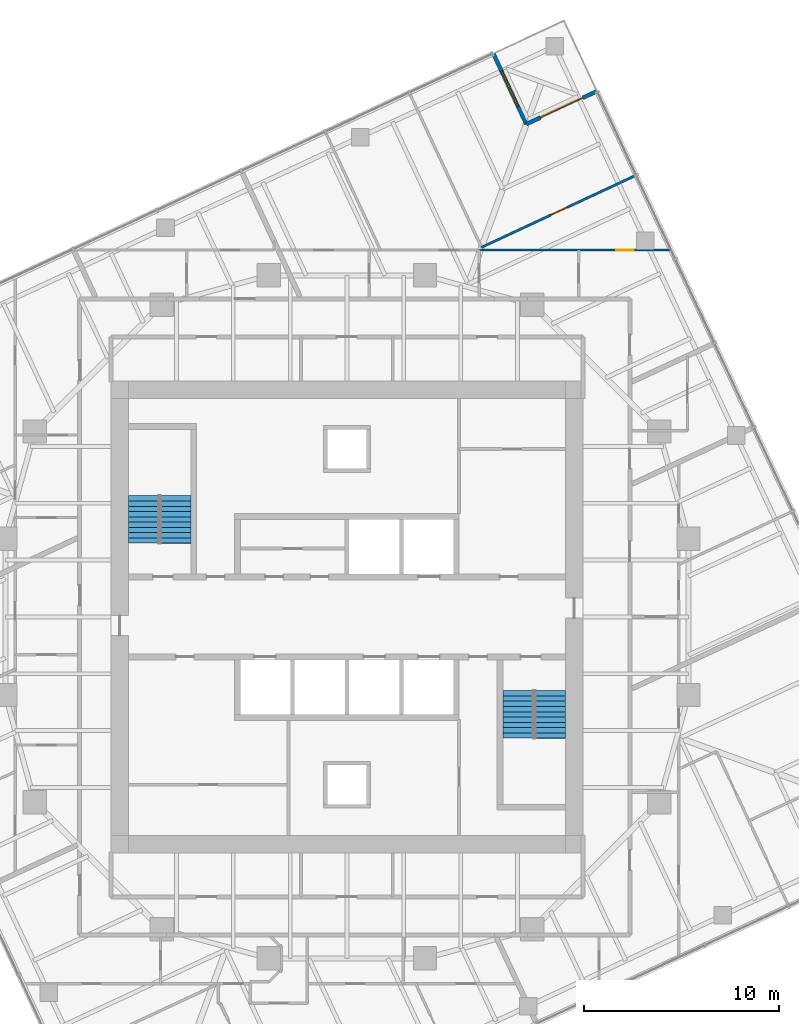
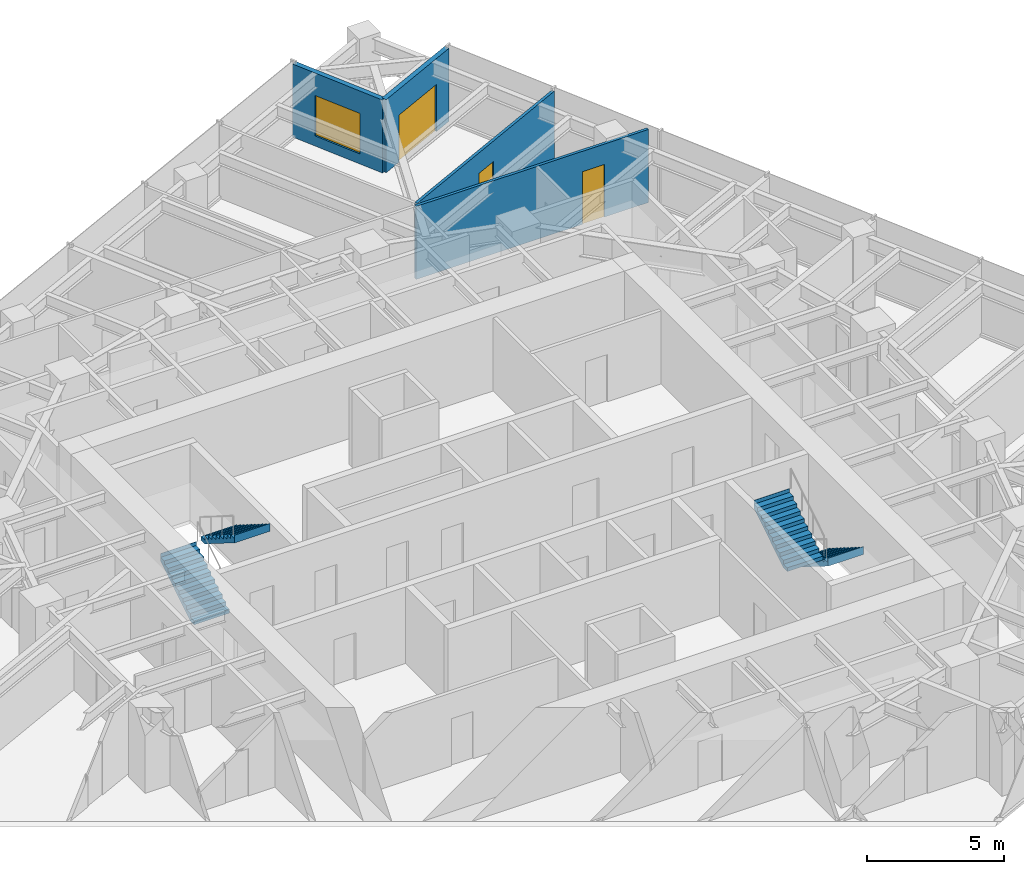
# One storey, part 12 of 13: 4 stair flights, 4 walls, 3 doors, 1 window, 4 openings, 2 elements without a shape of their own.
"""IFC4 building model written with IfcOpenShell, lengths in metres."""

from ifc_helpers import new_model, si_unit, direction, frame, frame_2d, origin, place, context, subcontext, project, spatial, polyline, rectangle, outline, extrude, material, layer, layer_set, type_object, element, fill, aggregate, save


model = new_model("IFC4")

# Units and contexts
model_context = context("Model", 3, precision=1e-05, world=origin(), true_north=direction((0.0, 1.0)))
body_context = subcontext(model_context, "Body", "Model", "MODEL_VIEW")
ifc_project = project(units=[si_unit("LENGTHUNIT", "METRE"), si_unit("AREAUNIT", "SQUARE_METRE"), si_unit("VOLUMEUNIT", "CUBIC_METRE"), si_unit("PLANEANGLEUNIT", "RADIAN"), si_unit("MASSUNIT", "GRAM", prefix="KILO")], contexts=[model_context])

# Site, building, storey
site_placement = place(None, origin())
site = spatial("IfcSite", under=ifc_project, at=site_placement, CompositionType="ELEMENT")
building_placement = place(site_placement, origin())
building = spatial("IfcBuilding", under=site, at=building_placement, Name="Torsade Residences", CompositionType="ELEMENT")
storey_placement = place(building_placement, frame((0.0, 0.0, 182.800048828125)))
storey = spatial("IfcBuildingStorey", under=building, at=storey_placement, Name="L50", CompositionType="ELEMENT", Elevation=182.800048828125)

# Wall, opening, door
ifc_material_1 = material(Name="Plasterboard on steel stud", Category="steel")
ifc_layer_1 = layer(ifc_material_1, 0.1201171875)
ifc_layer_set_1 = layer_set([ifc_layer_1], Name="Plasterboard on steel stud")
wall_type_1 = type_object("IfcWallType", Name="PARTITION 120", PredefinedType="PARTITIONING", material=ifc_layer_set_1)
wall_1_placement = place(storey_placement, frame((46.782958984375, 48.800048828125, 0.0), z_axis=(0.0, 0.0, 1.0), x_axis=(1.0, 0.0, 0.0)))
wall_1 = element("IfcWall", 1, at=wall_1_placement, inside=storey, type_object=wall_type_1, Name="Partition L50", PredefinedType="PARTITIONING", context=body_context, shape_type="SweptSolid", body=[
    extrude(rectangle(XDim=9.783935546875, YDim=0.1201171875, at=frame_2d((4.89208984375, 0.0))), origin(), (0.0, 0.0, 1.0), 3.25),
])
opening_1_placement = place(wall_1_placement, frame((7.005859375, 0.0, 0.0)))
opening_1 = element("IfcOpeningElement", 2, at=opening_1_placement, cuts=wall_1, Name="Opening D02", PredefinedType="OPENING", context=body_context, shape_type="SweptSolid", body=[
    extrude(rectangle(XDim=0.919921875, YDim=2.340087890625, at=frame_2d((0.4599609375, 1.169921875))), frame((0.0, 0.070068359375, 0.0), z_axis=(0.0, -1.0, 0.0), x_axis=(1.0, 0.0, 0.0)), (0.0, 0.0, 1.0), 0.14013671875),
])
ifc_material_2 = material(Name="Hollow-core timber door", Category="wood")
door_type_1 = type_object("IfcDoorType", Name="INTERNAL DOOR 920x2340", OperationType="NOTDEFINED", PredefinedType="DOOR", material=ifc_material_2)
door_1_placement = place(opening_1_placement, origin())
door_1 = element("IfcDoor", 3, at=door_1_placement, inside=storey, type_object=door_type_1, Name="Door Kitchen and dining to Bedroom 3", OperationType="SINGLE_SWING_RIGHT", OverallHeight=2.340087890625, OverallWidth=0.919921875, PredefinedType="DOOR", context=body_context, shape_type="SweptSolid", body=[
    extrude(rectangle(XDim=0.919921875, YDim=2.340087890625, at=frame_2d((0.4599609375, 1.169921875))), frame((0.0, 0.02490234375, 0.0), z_axis=(0.0, -1.0, 0.0), x_axis=(1.0, 0.0, 0.0)), (0.0, 0.0, 1.0), 0.050048828125),
])
fill(opening_1, door_1)

wall_2_placement = place(storey_placement, frame((54.78662109375, 52.6181640625, 0.0), z_axis=(0.0, 0.0, 1.0), x_axis=(-0.906314140712, -0.422604635972, 0.0)))
wall_2 = element("IfcWall", 4, at=wall_2_placement, inside=storey, type_object=wall_type_1, Name="Partition L50", PredefinedType="PARTITIONING", context=body_context, shape_type="SweptSolid", body=[
    extrude(rectangle(XDim=8.7099609375, YDim=0.1201171875, at=frame_2d((4.35498046875, 0.0))), origin(), (0.0, 0.0, 1.0), 3.25),
])
opening_2_placement = place(wall_2_placement, frame((3.875, 0.0, 0.0)))
opening_2 = element("IfcOpeningElement", 5, at=opening_2_placement, cuts=wall_2, Name="Opening D02", PredefinedType="OPENING", context=body_context, shape_type="SweptSolid", body=[
    extrude(rectangle(XDim=0.919921875, YDim=2.340087890625, at=frame_2d((0.4599609375, 1.169921875))), frame((0.0, 0.070068359375, 0.0), z_axis=(0.0, -1.0, 0.0), x_axis=(1.0, 0.0, 0.0)), (0.0, 0.0, 1.0), 0.14013671875),
])
door_2_placement = place(opening_2_placement, origin())
door_2 = element("IfcDoor", 6, at=door_2_placement, inside=storey, type_object=door_type_1, Name="Door Bedroom 3 to Living room", OperationType="SINGLE_SWING_RIGHT", OverallHeight=2.340087890625, OverallWidth=0.919921875, PredefinedType="DOOR", context=body_context, shape_type="SweptSolid", body=[
    extrude(rectangle(XDim=0.919921875, YDim=2.340087890625, at=frame_2d((0.4599609375, 1.169921875))), frame((0.0, 0.02490234375, 0.0), z_axis=(0.0, -1.0, 0.0), x_axis=(1.0, 0.0, 0.0)), (0.0, 0.0, 1.0), 0.050048828125),
])
fill(opening_2, door_2)

ifc_material_3 = material(Name="Stone-faced precast concrete 40 MPa panel", Category="masonry")
ifc_layer_2 = layer(ifc_material_3, 0.199951171875)
ifc_layer_set_2 = layer_set([ifc_layer_2], Name="Stone-faced precast concrete 40 MPa panel")
wall_type_2 = type_object("IfcWallType", Name="TERRACE WALL 200", PredefinedType="SOLIDWALL", material=ifc_layer_set_2)
wall_3_placement = place(storey_placement, frame((52.8154296875, 56.940185546875, 0.0), z_axis=(0.0, 0.0, 1.0), x_axis=(-0.906289140828, -0.422658246362, 0.0)))
wall_3 = element("IfcWall", 7, at=wall_3_placement, inside=storey, type_object=wall_type_2, Name="Terrace wall L50 5", PredefinedType="SOLIDWALL", context=body_context, shape_type="SweptSolid", body=[
    extrude(rectangle(XDim=4.0, YDim=0.199951171875, at=frame_2d((2.0, 0.0))), origin(), (0.0, 0.0, 1.0), 3.25),
])
opening_3_placement = place(wall_3_placement, frame((0.800048828125, 0.0, 0.0)))
opening_3 = element("IfcOpeningElement", 8, at=opening_3_placement, cuts=wall_3, Name="Opening D10A", PredefinedType="OPENING", context=body_context, shape_type="SweptSolid", body=[
    extrude(rectangle(XDim=2.39990234375, YDim=2.10009765625, at=frame_2d((1.199951171875, 1.050048828125))), frame((0.0, 0.10986328125, 0.0), z_axis=(0.0, -1.0, 0.0), x_axis=(1.0, 0.0, 0.0)), (0.0, 0.0, 1.0), 0.219970703125),
])
ifc_material_4 = material(Name="Aluminium-framed glass door", Category="aluminium")
door_type_2 = type_object("IfcDoorType", Name="TERRACE SLIDING DOOR 2400x2100", OperationType="SLIDING_TO_LEFT", PredefinedType="DOOR", material=ifc_material_4)
door_3_placement = place(opening_3_placement, origin())
door_3 = element("IfcDoor", 9, at=door_3_placement, inside=storey, type_object=door_type_2, Name="Terrace door L50 5", OperationType="SLIDING_TO_LEFT", OverallHeight=2.10009765625, OverallWidth=2.39990234375, PredefinedType="DOOR", context=body_context, shape_type="SweptSolid", body=[
    extrude(rectangle(XDim=2.39990234375, YDim=2.10009765625, at=frame_2d((1.199951171875, 1.050048828125))), frame((0.0, 0.02490234375, 0.0), z_axis=(0.0, -1.0, 0.0), x_axis=(1.0, 0.0, 0.0)), (0.0, 0.0, 1.0), 0.050048828125),
])
fill(opening_3, door_3)

# Wall, opening, window
wall_4_placement = place(storey_placement, frame((49.190185546875, 55.24951171875, 0.0), z_axis=(0.0, 0.0, 1.0), x_axis=(-0.422658246362, 0.906289140828, 0.0)))
wall_4 = element("IfcWall", 10, at=wall_4_placement, inside=storey, type_object=wall_type_2, Name="Terrace wall L50 6", PredefinedType="SOLIDWALL", context=body_context, shape_type="SweptSolid", body=[
    extrude(rectangle(XDim=4.0, YDim=0.199951171875, at=frame_2d((2.0, 0.0))), origin(), (0.0, 0.0, 1.0), 3.25),
])
opening_4_placement = place(wall_4_placement, frame((1.0, 0.0, 0.449951171875)))
opening_4 = element("IfcOpeningElement", 11, at=opening_4_placement, cuts=wall_4, Name="Opening W1B", PredefinedType="OPENING", context=body_context, shape_type="SweptSolid", body=[
    extrude(rectangle(XDim=2.0, YDim=1.800048828125, at=frame_2d((1.0, 0.89990234375))), frame((0.0, 0.10986328125, 0.0), z_axis=(0.0, -1.0, 0.0), x_axis=(1.0, 0.0, 0.0)), (0.0, 0.0, 1.0), 0.219970703125),
])
ifc_material_5 = material(Name="Aluminium-framed glass window", Category="aluminium")
window_type = type_object("IfcWindowType", Name="TERRACE WINDOW 2000x1800", PartitioningType="SINGLE_PANEL", PredefinedType="WINDOW", material=ifc_material_5)
window_placement = place(opening_4_placement, origin())
window = element("IfcWindow", 12, at=window_placement, inside=storey, type_object=window_type, Name="Terrace window L50 6", OverallHeight=1.800048828125, OverallWidth=2.0, PartitioningType="SINGLE_PANEL", PredefinedType="WINDOW", context=body_context, shape_type="SweptSolid", body=[
    extrude(rectangle(XDim=2.0, YDim=1.800048828125, at=frame_2d((1.0, 0.89990234375))), frame((0.0, 0.030029296875, 0.0), z_axis=(0.0, -1.0, 0.0), x_axis=(1.0, 0.0, 0.0)), (0.0, 0.0, 1.0), 0.06005859375),
])
fill(opening_4, window)

# Stair, stair flights
ifc_material_6 = material(Name="Precast concrete 40 MPa", Category="concrete")
stair_type = type_object("IfcStairType", Name="HALF-TURN FIRE STAIR 1500x3400", PredefinedType="HALF_TURN_STAIR", material=ifc_material_6)
stair_1_placement = place(storey_placement, origin())
stair_1 = element("IfcStair", 13, at=stair_1_placement, inside=storey, type_object=stair_type, Name="Stair ST1 L50", PredefinedType="HALF_TURN_STAIR")
ifc_material_7 = material(Name="Precast concrete 40 MPa", Category="concrete")
stair_flight_type = type_object("IfcStairFlightType", Name="PRECAST STAIR FLIGHT 1500x1700", PredefinedType="STRAIGHT", material=ifc_material_7)
stair_flight_1_placement = place(storey_placement, frame((29.550048828125, 33.780029296875, 0.0), z_axis=(0.0, 0.0, 1.0), x_axis=(0.0, 1.0, 0.0)))
stair_flight_1 = element("IfcStairFlight", 14, at=stair_flight_1_placement, type_object=stair_flight_type, Name="ST1 flight 1", NumberOfRisers=10, NumberOfTreads=9, PredefinedType="STRAIGHT", RiserHeight=0.17, TreadLength=0.27, context=body_context, shape_type="SweptSolid", body=[
    extrude(outline(polyline([(0.0, 0.0), (0.0, 0.169921875), (0.27001953125, 0.169921875), (0.27001953125, 0.340087890625), (0.5400390625, 0.340087890625), (0.5400390625, 0.510009765625), (0.81005859375, 0.510009765625), (0.81005859375, 0.679931640625), (1.080078125, 0.679931640625), (1.080078125, 0.85009765625), (1.35009765625, 0.85009765625), (1.35009765625, 1.02001953125), (1.6201171875, 1.02001953125), (1.6201171875, 1.18994140625), (1.889892578125, 1.18994140625), (1.889892578125, 1.360107421875), (2.159912109375, 1.360107421875), (2.159912109375, 1.530029296875), (2.429931640625, 1.530029296875), (2.429931640625, 1.699951171875), (2.43994140625, 1.699951171875), (2.43994140625, 1.352783203125), (2.429931640625, 1.352783203125), (0.28125, 0.0), (0.0, 0.0)])), frame((0.0, 0.75, 0.0), z_axis=(0.0, -1.0, 0.0), x_axis=(1.0, 0.0, 0.0)), (0.0, 0.0, 1.0), 1.5),
])
stair_flight_2_placement = place(storey_placement, frame((31.25, 36.2099609375, 1.699951171875), z_axis=(0.0, 0.0, 1.0), x_axis=(0.0, -1.0, 0.0)))
stair_flight_2 = element("IfcStairFlight", 15, at=stair_flight_2_placement, type_object=stair_flight_type, Name="ST1 flight 2", NumberOfRisers=10, NumberOfTreads=9, PredefinedType="STRAIGHT", RiserHeight=0.17, TreadLength=0.27, context=body_context, shape_type="SweptSolid", body=[
    extrude(outline(polyline([(0.0, 0.0), (0.0, 0.169921875), (0.27001953125, 0.169921875), (0.27001953125, 0.340087890625), (0.5400390625, 0.340087890625), (0.5400390625, 0.510009765625), (0.81005859375, 0.510009765625), (0.81005859375, 0.679931640625), (1.080078125, 0.679931640625), (1.080078125, 0.85009765625), (1.35009765625, 0.85009765625), (1.35009765625, 1.02001953125), (1.6201171875, 1.02001953125), (1.6201171875, 1.18994140625), (1.889892578125, 1.18994140625), (1.889892578125, 1.360107421875), (2.159912109375, 1.360107421875), (2.159912109375, 1.530029296875), (2.429931640625, 1.530029296875), (2.429931640625, 1.699951171875), (2.43994140625, 1.699951171875), (2.43994140625, 1.352783203125), (2.429931640625, 1.352783203125), (0.28125, 0.0), (0.0, 0.0)])), frame((0.0, 0.75, 0.0), z_axis=(0.0, -1.0, 0.0), x_axis=(1.0, 0.0, 0.0)), (0.0, 0.0, 1.0), 1.5),
])
aggregate(stair_1, [stair_flight_1, stair_flight_2])

stair_2_placement = place(storey_placement, origin())
stair_2 = element("IfcStair", 16, at=stair_2_placement, inside=storey, type_object=stair_type, Name="Stair ST2 L50", PredefinedType="HALF_TURN_STAIR")
stair_flight_3_placement = place(storey_placement, frame((50.449951171875, 26.219970703125, 0.0), z_axis=(0.0, 0.0, 1.0), x_axis=(0.0, -1.0, 0.0)))
stair_flight_3 = element("IfcStairFlight", 17, at=stair_flight_3_placement, type_object=stair_flight_type, Name="ST2 flight 1", NumberOfRisers=10, NumberOfTreads=9, PredefinedType="STRAIGHT", RiserHeight=0.17, TreadLength=0.27, context=body_context, shape_type="SweptSolid", body=[
    extrude(outline(polyline([(0.0, 0.0), (0.0, 0.169921875), (0.27001953125, 0.169921875), (0.27001953125, 0.340087890625), (0.5400390625, 0.340087890625), (0.5400390625, 0.510009765625), (0.81005859375, 0.510009765625), (0.81005859375, 0.679931640625), (1.080078125, 0.679931640625), (1.080078125, 0.85009765625), (1.35009765625, 0.85009765625), (1.35009765625, 1.02001953125), (1.6201171875, 1.02001953125), (1.6201171875, 1.18994140625), (1.889892578125, 1.18994140625), (1.889892578125, 1.360107421875), (2.159912109375, 1.360107421875), (2.159912109375, 1.530029296875), (2.429931640625, 1.530029296875), (2.429931640625, 1.699951171875), (2.43994140625, 1.699951171875), (2.43994140625, 1.352783203125), (2.429931640625, 1.352783203125), (0.28125, 0.0), (0.0, 0.0)])), frame((0.0, 0.75, 0.0), z_axis=(0.0, -1.0, 0.0), x_axis=(1.0, 0.0, 0.0)), (0.0, 0.0, 1.0), 1.5),
])
stair_flight_4_placement = place(storey_placement, frame((48.75, 23.7900390625, 1.699951171875), z_axis=(0.0, 0.0, 1.0), x_axis=(0.0, 1.0, 0.0)))
stair_flight_4 = element("IfcStairFlight", 18, at=stair_flight_4_placement, type_object=stair_flight_type, Name="ST2 flight 2", NumberOfRisers=10, NumberOfTreads=9, PredefinedType="STRAIGHT", RiserHeight=0.17, TreadLength=0.27, context=body_context, shape_type="SweptSolid", body=[
    extrude(outline(polyline([(0.0, 0.0), (0.0, 0.169921875), (0.27001953125, 0.169921875), (0.27001953125, 0.340087890625), (0.5400390625, 0.340087890625), (0.5400390625, 0.510009765625), (0.81005859375, 0.510009765625), (0.81005859375, 0.679931640625), (1.080078125, 0.679931640625), (1.080078125, 0.85009765625), (1.35009765625, 0.85009765625), (1.35009765625, 1.02001953125), (1.6201171875, 1.02001953125), (1.6201171875, 1.18994140625), (1.889892578125, 1.18994140625), (1.889892578125, 1.360107421875), (2.159912109375, 1.360107421875), (2.159912109375, 1.530029296875), (2.429931640625, 1.530029296875), (2.429931640625, 1.699951171875), (2.43994140625, 1.699951171875), (2.43994140625, 1.352783203125), (2.429931640625, 1.352783203125), (0.28125, 0.0), (0.0, 0.0)])), frame((0.0, 0.75, 0.0), z_axis=(0.0, -1.0, 0.0), x_axis=(1.0, 0.0, 0.0)), (0.0, 0.0, 1.0), 1.5),
])
aggregate(stair_2, [stair_flight_3, stair_flight_4])

save(model, "model.ifc")
